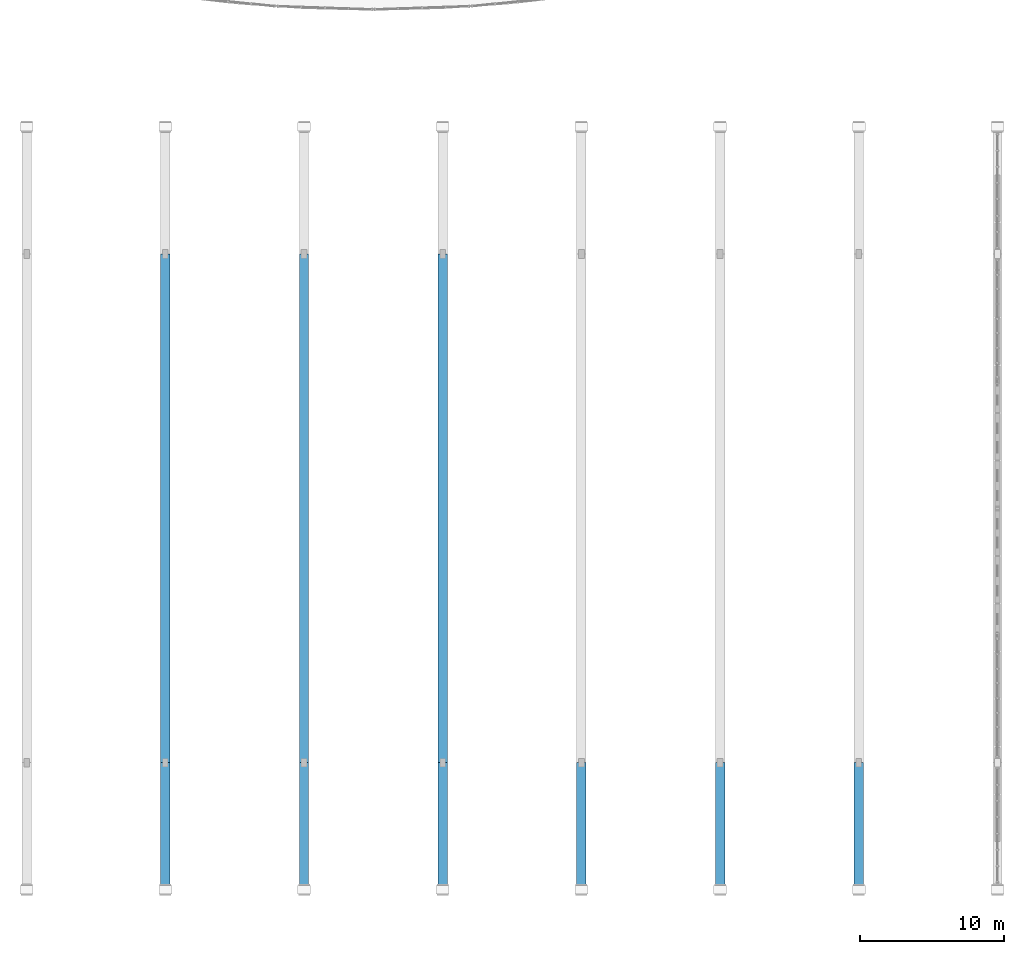
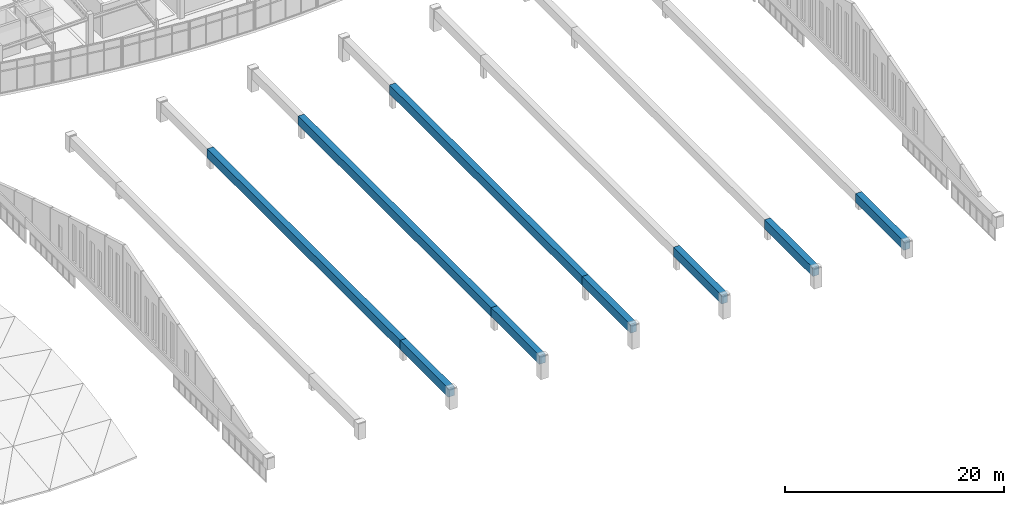
# One storey, part 16 of 65: 9 beams.
"""IFC4 building model written with IfcOpenShell, lengths in metres."""

import ifcopenshell
import ifcopenshell.guid

model = None  # the IFC model being written
_history = None  # IfcOwnerHistory: only IFC2X3 demands one
_inside = {}  # id of a spatial element -> (the spatial element, [elements in it])
_under = {}  # id of a project, library or spatial element -> (it, [spatial elements below it])
_declared = {}  # id of a project -> (the project, [libraries it declares])
_typed = {}  # id of a type object -> (the type object, [elements of that type])
_made_of = {}  # id of a material, layer set ... -> (it, [elements and type objects made of it])


def new_model(schema):
    """Start an empty IFC model of exactly this schema.

    Asked for "IFC4X3", IfcOpenShell would pick the latest addendum, in which some entities
    have other attributes; the version numbers below select the first issue.
    IFC2X3 requires an IfcOwnerHistory on every rooted entity: one is made here for all.
    """
    global model, _history
    if schema == "IFC4X3":
        model = ifcopenshell.file(schema_version=(4, 3, 0, 0))
    else:
        model = ifcopenshell.file(schema=schema)
    _inside.clear()
    _under.clear()
    _declared.clear()
    _typed.clear()
    _made_of.clear()
    _history = None
    if model.schema == "IFC2X3":
        org = make("IfcOrganization", Name="unknown")
        user = make(
            "IfcPersonAndOrganization",
            ThePerson=make("IfcPerson", FamilyName="unknown"),
            TheOrganization=org,
        )
        app = make(
            "IfcApplication",
            ApplicationDeveloper=org,
            Version="unknown",
            ApplicationFullName="unknown",
            ApplicationIdentifier="unknown",
        )
        _history = make(
            "IfcOwnerHistory",
            OwningUser=user,
            OwningApplication=app,
            ChangeAction="ADDED",
            CreationDate=0,
        )
    return model


def make(cls, **values):
    """One entity of the class cls with the attributes given. An attribute that is None is left unset."""
    return model.create_entity(
        cls, **{name: value for name, value in values.items() if value is not None}
    )


def rooted(cls, **values):
    """An entity with a GlobalId (a new one), such as an element, a storey or a relation."""
    return make(cls, GlobalId=ifcopenshell.guid.new(), OwnerHistory=_history, **values)


def si_unit(unit_type, name, prefix=None):
    """IfcSIUnit, for example si_unit("LENGTHUNIT", "METRE", prefix="MILLI")."""
    return make("IfcSIUnit", UnitType=unit_type, Prefix=prefix, Name=name)


def assignment(units):
    """IfcUnitAssignment: the units of a project."""
    return None if units is None else make("IfcUnitAssignment", Units=units)


def point(xyz):
    """IfcCartesianPoint."""
    return None if xyz is None else make("IfcCartesianPoint", Coordinates=xyz)


def direction(xyz):
    """IfcDirection."""
    return None if xyz is None else make("IfcDirection", DirectionRatios=xyz)


def frame(location, z_axis=None, x_axis=None):
    """IfcAxis2Placement3D, a coordinate frame: its origin and axes. An axis left out is left unset."""
    return make(
        "IfcAxis2Placement3D",
        Location=point(location),
        Axis=direction(z_axis),
        RefDirection=direction(x_axis),
    )


def frame_2d(location, x_axis=None):
    """IfcAxis2Placement2D, a coordinate frame in the plane: its origin and x axis."""
    return make(
        "IfcAxis2Placement2D", Location=point(location), RefDirection=direction(x_axis)
    )


def origin():
    """The frame at (0, 0, 0) with its axes left unset."""
    return frame((0.0, 0.0, 0.0))


def origin_2d():
    """The frame at (0, 0) in the plane with its x axis left unset."""
    return frame_2d((0.0, 0.0))


def place(relative_to, where):
    """IfcLocalPlacement: puts the frame where relative to a parent placement (None: the world)."""
    return make(
        "IfcLocalPlacement", PlacementRelTo=relative_to, RelativePlacement=where
    )


def context(
    kind, dimensions, precision=None, world=None, true_north=None, identifier=None
):
    """IfcGeometricRepresentationContext, for example the 3D "Model" context."""
    return make(
        "IfcGeometricRepresentationContext",
        ContextIdentifier=identifier,
        ContextType=kind,
        CoordinateSpaceDimension=dimensions,
        Precision=precision,
        WorldCoordinateSystem=world,
        TrueNorth=true_north,
    )


def subcontext(parent, identifier, kind, view, scale=None):
    """IfcGeometricRepresentationSubContext, for example "Body" below "Model"."""
    return make(
        "IfcGeometricRepresentationSubContext",
        ContextIdentifier=identifier,
        ContextType=kind,
        ParentContext=parent,
        TargetScale=scale,
        TargetView=view,
    )


def project(units=None, contexts=None):
    """IfcProject with its units and contexts."""
    return rooted(
        "IfcProject",
        Name="project",
        RepresentationContexts=contexts,
        UnitsInContext=assignment(units),
    )


def spatial(cls, under=None, at=None, **own):
    """A site, building, storey or space (cls), placed at a placement, below another one or the project."""
    s = rooted(cls, ObjectPlacement=at, **own)
    if under is not None:
        _under.setdefault(under.id(), (under, []))[1].append(s)
    return s


def profile(cls, at=None, kind="AREA", **sizes):
    """A parametric profile (cls). Its sizes go by their IFC names, for example OverallWidth=200.0."""
    return make(cls, ProfileType=kind, Position=at, **sizes)


def rectangle(**sizes):
    """IfcRectangleProfileDef."""
    return profile("IfcRectangleProfileDef", **sizes)


def extrude(swept, where, along, depth):
    """IfcExtrudedAreaSolid: the profile swept, set in the frame where, extruded along a direction by depth."""
    return make(
        "IfcExtrudedAreaSolid",
        SweptArea=swept,
        Position=where,
        ExtrudedDirection=direction(along),
        Depth=depth,
    )


def shape(context_of_items, identifier, shape_type, items):
    """IfcShapeRepresentation: the items that make up one representation, for example the "Body"."""
    return make(
        "IfcShapeRepresentation",
        ContextOfItems=context_of_items,
        RepresentationIdentifier=identifier,
        RepresentationType=shape_type,
        Items=items,
    )


def material(Name=None, Category=None):
    """IfcMaterial."""
    return make("IfcMaterial", Name=Name, Category=Category)


def material_profile(
    of_material, cross_section, Name=None, Category=None, Priority=None
):
    """IfcMaterialProfile: a cross section and its material."""
    return make(
        "IfcMaterialProfile",
        Name=Name,
        Material=of_material,
        Profile=cross_section,
        Priority=Priority,
        Category=Category,
    )


def profile_set(profiles, Name=None, composite=None):
    """IfcMaterialProfileSet."""
    return make(
        "IfcMaterialProfileSet",
        Name=Name,
        MaterialProfiles=profiles,
        CompositeProfile=composite,
    )


def made_of(thing, what):
    """Note that an element or type object is made of a material, layer set ...; save() writes the relation."""
    if what is not None:
        _made_of.setdefault(what.id(), (what, []))[1].append(thing)
    return thing


def type_object(cls, material=None, **own):
    """A type object (cls), such as IfcWallType, which elements share."""
    return made_of(rooted(cls, **own), material)


def element(
    cls,
    number,
    at=None,
    inside=None,
    cuts=None,
    type_object=None,
    material=None,
    context=None,
    identifier="Body",
    shape_type=None,
    held_by="IfcProductDefinitionShape",
    body=None,
    shapes=None,
    **own,
):
    """One element of the class cls, such as IfcWall. Its Tag is "e" and its number.

    at: its placement. inside: the storey or other place that contains it. cuts: it is an
    opening in that element (IfcRelVoidsElement). A single representation is given by context,
    identifier, shape_type and body (its items); several are given by shapes. held_by: the class
    of the entity that holds the representations. save() writes the other relations.
    """
    e = rooted(cls, Tag="e%d" % number, ObjectPlacement=at, **own)
    if body is not None:
        shapes = [shape(context, identifier, shape_type, body)]
    if shapes is not None:
        e.Representation = make(held_by, Representations=shapes)
    if inside is not None:
        _inside.setdefault(inside.id(), (inside, []))[1].append(e)
    if cuts is not None:
        rooted(
            "IfcRelVoidsElement", RelatingBuildingElement=cuts, RelatedOpeningElement=e
        )
    if type_object is not None:
        _typed.setdefault(type_object.id(), (type_object, []))[1].append(e)
    return made_of(e, material)


def aggregate(whole, parts):
    """IfcRelAggregates: a whole, such as a stair, and the parts it consists of."""
    return rooted("IfcRelAggregates", RelatingObject=whole, RelatedObjects=parts)


def save(model, path):
    """Write the relations noted so far, then the file.

    IfcRelAggregates (storeys below a building ...), IfcRelContainedInSpatialStructure (elements
    in a storey), IfcRelDefinesByType, IfcRelAssociatesMaterial and IfcRelDeclares: one each for
    every whole, place, type object, material and project.
    """
    for whole, parts in _under.values():
        aggregate(whole, parts)
    for where, things in _inside.values():
        rooted(
            "IfcRelContainedInSpatialStructure",
            RelatedElements=things,
            RelatingStructure=where,
        )
    for kind, things in _typed.values():
        rooted("IfcRelDefinesByType", RelatedObjects=things, RelatingType=kind)
    for what, things in _made_of.values():
        rooted("IfcRelAssociatesMaterial", RelatedObjects=things, RelatingMaterial=what)
    for by, libraries in _declared.values():
        rooted("IfcRelDeclares", RelatingContext=by, RelatedDefinitions=libraries)
    model.write(path)


model = new_model("IFC4")

# Units and contexts
model_context = context("Model", 3, precision=1e-05, world=origin(), true_north=direction((0.0, 1.0)))
body_context = subcontext(model_context, "Body", "Model", "MODEL_VIEW")
ifc_project = project(units=[si_unit("LENGTHUNIT", "METRE"), si_unit("AREAUNIT", "SQUARE_METRE"), si_unit("VOLUMEUNIT", "CUBIC_METRE"), si_unit("PLANEANGLEUNIT", "RADIAN"), si_unit("MASSUNIT", "GRAM", prefix="KILO")], contexts=[model_context])

# Site, building, storey
site_placement = place(None, origin())
site = spatial("IfcSite", under=ifc_project, at=site_placement, CompositionType="ELEMENT")
building_placement = place(site_placement, origin())
building = spatial("IfcBuilding", under=site, at=building_placement, Name="Chalmorin Arch Market", CompositionType="ELEMENT")
storey_placement = place(building_placement, frame((0.0, 0.0, 14.10009765625)))
storey = spatial("IfcBuildingStorey", under=building, at=storey_placement, Name="L03", CompositionType="ELEMENT", Elevation=14.10009765625)

# Beams
ifc_material = material(Name="Concrete C50/60", Category="concrete")
ifc_material_profile = material_profile(ifc_material, rectangle(XDim=0.64990234375, YDim=1.0, at=origin_2d()), Name="RC650X1000")
ifc_profile_set = profile_set([ifc_material_profile], Name="Concrete C50/60")
beam_type = type_object("IfcBeamType", Name="ArchTieGirder-650x1000", PredefinedType="BEAM", material=ifc_profile_set)
beam_1_placement = place(storey_placement, frame((67.199951171875, 6.0, 1.654541015625), z_axis=(0.0, 1.0, 0.0), x_axis=(-1.0, 0.0, 0.0)))
element("IfcBeam", 1, at=beam_1_placement, inside=storey, type_object=beam_type, Name="ATG-01-1639", PredefinedType="BEAM", context=body_context, shape_type="SweptSolid", body=[
    extrude(rectangle(XDim=0.64990234375, YDim=1.0, at=origin_2d()), origin(), (0.0, 0.0, 1.0), 8.800048828125),
])
beam_2_placement = place(storey_placement, frame((67.199951171875, 14.800048828125, 1.654541015625), z_axis=(0.0, 1.0, 0.0), x_axis=(-1.0, 0.0, 0.0)))
element("IfcBeam", 2, at=beam_2_placement, inside=storey, type_object=beam_type, Name="ATG-01-1640", PredefinedType="BEAM", context=body_context, shape_type="SweptSolid", body=[
    extrude(rectangle(XDim=0.64990234375, YDim=1.0, at=origin_2d()), origin(), (0.0, 0.0, 1.0), 35.199951171875),
])
beam_3_placement = place(storey_placement, frame((76.800048828125, 6.0, 1.947021484375), z_axis=(0.0, 1.0, 0.0), x_axis=(-1.0, 0.0, 0.0)))
element("IfcBeam", 3, at=beam_3_placement, inside=storey, type_object=beam_type, Name="ATG-01-1658", PredefinedType="BEAM", context=body_context, shape_type="SweptSolid", body=[
    extrude(rectangle(XDim=0.64990234375, YDim=1.0, at=origin_2d()), origin(), (0.0, 0.0, 1.0), 8.800048828125),
])
beam_4_placement = place(storey_placement, frame((76.800048828125, 14.800048828125, 1.947021484375), z_axis=(0.0, 1.0, 0.0), x_axis=(-1.0, 0.0, 0.0)))
element("IfcBeam", 4, at=beam_4_placement, inside=storey, type_object=beam_type, Name="ATG-01-1659", PredefinedType="BEAM", context=body_context, shape_type="SweptSolid", body=[
    extrude(rectangle(XDim=0.64990234375, YDim=1.0, at=origin_2d()), origin(), (0.0, 0.0, 1.0), 35.199951171875),
])
beam_5_placement = place(storey_placement, frame((86.39990234375, 6.0, 2.0498046875), z_axis=(0.0, 1.0, 0.0), x_axis=(-1.0, 0.0, 0.0)))
element("IfcBeam", 5, at=beam_5_placement, inside=storey, type_object=beam_type, Name="ATG-01-1677", PredefinedType="BEAM", context=body_context, shape_type="SweptSolid", body=[
    extrude(rectangle(XDim=0.64990234375, YDim=1.0, at=origin_2d()), origin(), (0.0, 0.0, 1.0), 8.800048828125),
])
beam_6_placement = place(storey_placement, frame((86.39990234375, 14.800048828125, 2.0498046875), z_axis=(0.0, 1.0, 0.0), x_axis=(-1.0, 0.0, 0.0)))
element("IfcBeam", 6, at=beam_6_placement, inside=storey, type_object=beam_type, Name="ATG-01-1678", PredefinedType="BEAM", context=body_context, shape_type="SweptSolid", body=[
    extrude(rectangle(XDim=0.64990234375, YDim=1.0, at=origin_2d()), origin(), (0.0, 0.0, 1.0), 35.199951171875),
])
for number, where, z_axis, x_axis, name in (
    (7, (96.0, 6.0, 1.947021484375), (0.0, 1.0, 0.0), (-1.0, 0.0, 0.0), "ATG-01-1696"),
    (8, (105.60009765625, 6.0, 1.654541015625), (0.0, 1.0, 0.0), (-1.0, 0.0, 0.0), "ATG-01-1715"),
    (9, (115.199951171875, 6.0, 1.216552734375), (0.0, 1.0, 0.0), (-1.0, 0.0, 0.0), "ATG-01-1734"),
):
    element("IfcBeam", number, at=place(storey_placement, frame(where, z_axis=z_axis, x_axis=x_axis)), inside=storey, type_object=beam_type, Name=name, PredefinedType="BEAM", context=body_context, shape_type="SweptSolid", body=[
        extrude(rectangle(XDim=0.64990234375, YDim=1.0, at=origin_2d()), origin(), (0.0, 0.0, 1.0), 8.800048828125),
    ])

save(model, "model.ifc")
